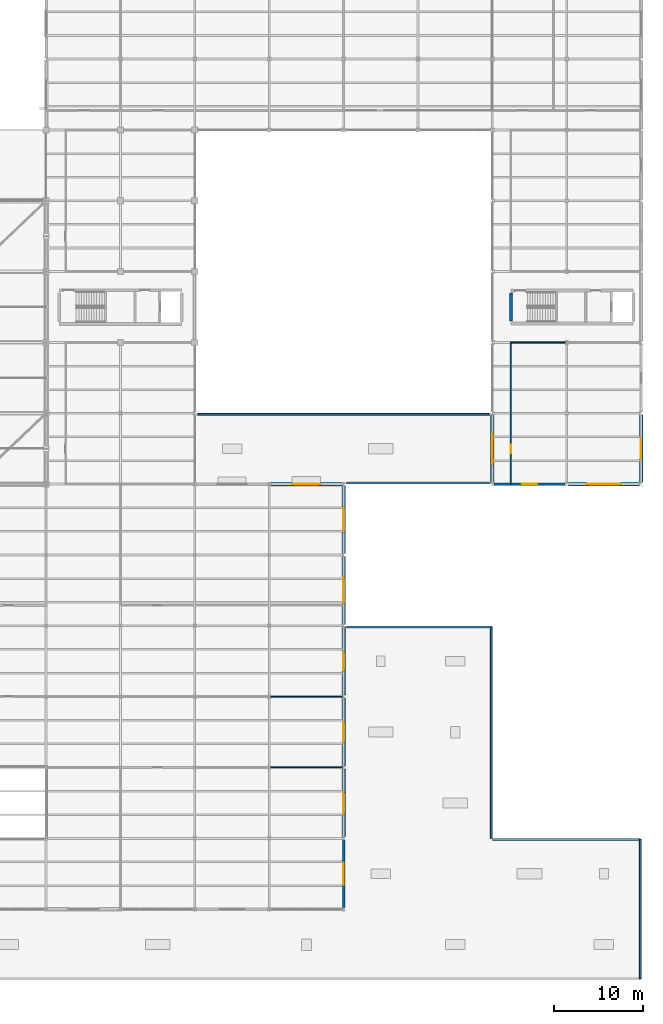
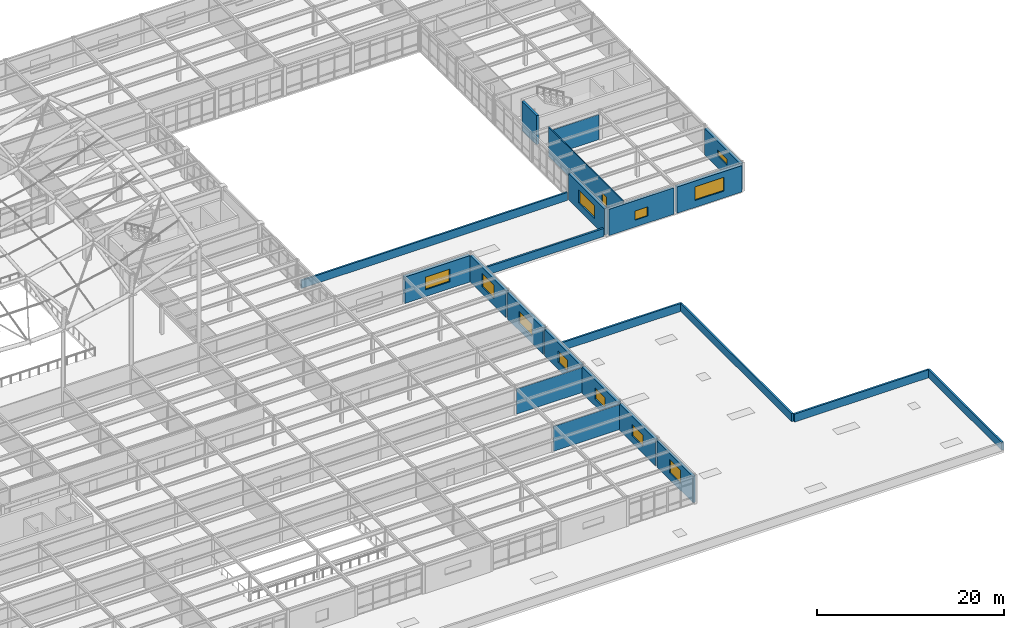
# One storey, part 77 of 138: 22 walls, 11 windows, 1 door, 12 openings.
"""IFC4 building model written with IfcOpenShell, lengths in metres."""

from ifc_helpers import new_model, si_unit, direction, frame, frame_2d, origin, place, context, subcontext, project, spatial, rectangle, extrude, material, layer, layer_set, type_object, element, fill, save


model = new_model("IFC4")

# Units and contexts
model_context = context("Model", 3, precision=1e-05, world=origin(), true_north=direction((0.0, 1.0)))
body_context = subcontext(model_context, "Body", "Model", "MODEL_VIEW")
ifc_project = project(units=[si_unit("LENGTHUNIT", "METRE"), si_unit("AREAUNIT", "SQUARE_METRE"), si_unit("VOLUMEUNIT", "CUBIC_METRE"), si_unit("PLANEANGLEUNIT", "RADIAN"), si_unit("MASSUNIT", "GRAM", prefix="KILO")], contexts=[model_context])

# Site, building, storey
site_placement = place(None, origin())
site = spatial("IfcSite", under=ifc_project, at=site_placement, CompositionType="ELEMENT")
building_placement = place(site_placement, origin())
building = spatial("IfcBuilding", under=site, at=building_placement, Name="Kranzveld Transit Interchange", CompositionType="ELEMENT")
storey_placement = place(building_placement, frame((0.0, 0.0, 5.43994140625)))
storey = spatial("IfcBuildingStorey", under=building, at=storey_placement, Name="L01", CompositionType="ELEMENT", Elevation=5.43994140625)

# Wall
ifc_material_1 = material(Name="Concrete C40/50", Category="concrete")
ifc_layer_1 = layer(ifc_material_1, 0.300048828125)
ifc_layer_set_1 = layer_set([ifc_layer_1], Name="Concrete C40/50")
wall_type_1 = type_object("IfcWallType", Name="Core Shear Wall RC 300 C40/50", PredefinedType="SHEAR", material=ifc_layer_set_1)
wall_1_placement = place(storey_placement, frame((153.300048828125, 74.43994140625, 0.0), z_axis=(0.0, 0.0, 1.0), x_axis=(0.0, 1.0, 0.0)))
element("IfcWall", 1, at=wall_1_placement, inside=storey, type_object=wall_type_1, Name="L01 Community East Core C4 Shear Wall W", PredefinedType="SHEAR", context=body_context, shape_type="SweptSolid", body=[
    extrude(rectangle(XDim=3.1201171875, YDim=0.300048828125, at=frame_2d((1.56005859375, 0.0))), origin(), (0.0, 0.0, 1.0), 3.800048828125),
])

# Wall, opening, window
ifc_material_2 = material(Name="Pretoria red-purple clinker clay face brick, 35 MPa", Category="masonry")
ifc_layer_2 = layer(ifc_material_2, 0.3798828125)
ifc_layer_set_2 = layer_set([ifc_layer_2], Name="Pretoria red-purple clinker clay face brick, 35 MPa")
wall_type_2 = type_object("IfcWallType", Name="Exterior Cavity Wall Red Clinker 380", PredefinedType="SOLIDWALL", material=ifc_layer_set_2)
wall_2_placement = place(storey_placement, frame((168.0, 56.187255859375, 0.0), z_axis=(0.0, 0.0, 1.0), x_axis=(0.0, 1.0, 0.0)))
wall_2 = element("IfcWall", 2, at=wall_2_placement, inside=storey, type_object=wall_type_2, Name="L01 Clinker Facade Wall 21/H-21/J", PredefinedType="SOLIDWALL", context=body_context, shape_type="SweptSolid", body=[
    extrude(rectangle(XDim=7.62548828125, YDim=0.3798828125, at=frame_2d((3.812744140625, 0.0))), origin(), (0.0, 0.0, 1.0), 3.442138671875),
])
opening_1_placement = place(wall_2_placement, frame((2.7626953125, 0.0, 1.550048828125), z_axis=(0.0, 0.0, 1.0), x_axis=(1.0, 0.0, 0.0)))
opening_1 = element("IfcOpeningElement", 3, at=opening_1_placement, cuts=wall_2, Name="Opening W-16", PredefinedType="OPENING", context=body_context, shape_type="SweptSolid", body=[
    extrude(rectangle(XDim=2.10009765625, YDim=0.800048828125, at=frame_2d((1.050048828125, 0.39990234375))), frame((0.0, 0.199951171875, 0.0), z_axis=(0.0, -1.0, 0.0), x_axis=(1.0, 0.0, 0.0)), (0.0, 0.0, 1.0), 0.39990234375),
])
ifc_material_3 = material(Name="Solar-control double glazing", Category="glass")
window_type_1 = type_object("IfcWindowType", Name="Window Clerestory 2100x800", PartitioningType="DOUBLE_PANEL_HORIZONTAL", PredefinedType="WINDOW", material=ifc_material_3)
window_1_placement = place(opening_1_placement, origin())
window_1 = element("IfcWindow", 4, at=window_1_placement, inside=storey, type_object=window_type_1, Name="L01 Facade Window 21/H", OverallHeight=0.800048828125, OverallWidth=2.10009765625, PartitioningType="DOUBLE_PANEL_HORIZONTAL", PredefinedType="WINDOW", context=body_context, shape_type="SweptSolid", body=[
    extrude(rectangle(XDim=2.10009765625, YDim=0.800048828125, at=frame_2d((1.050048828125, 0.39990234375))), frame((0.0, 0.030029296875, 0.0), z_axis=(0.0, -1.0, 0.0), x_axis=(1.0, 0.0, 0.0)), (0.0, 0.0, 1.0), 0.06005859375),
])
fill(opening_1, window_1)

wall_3_placement = place(storey_placement, frame((159.787353515625, 56.0, 0.0), z_axis=(0.0, 0.0, 1.0), x_axis=(1.0, 0.0, 0.0)))
wall_3 = element("IfcWall", 5, at=wall_3_placement, inside=storey, type_object=wall_type_2, Name="L01 Clinker Facade Wall 20/H-21/H", PredefinedType="SOLIDWALL", context=body_context, shape_type="SweptSolid", body=[
    extrude(rectangle(XDim=8.025390625, YDim=0.3798828125, at=frame_2d((4.0126953125, 0.0))), origin(), (0.0, 0.0, 1.0), 3.449951171875),
])
opening_2_placement = place(wall_3_placement, frame((2.212646484375, 0.0, 0.89990234375), z_axis=(0.0, 0.0, 1.0), x_axis=(1.0, 0.0, 0.0)))
opening_2 = element("IfcOpeningElement", 6, at=opening_2_placement, cuts=wall_3, Name="Opening W-01", PredefinedType="OPENING", context=body_context, shape_type="SweptSolid", body=[
    extrude(rectangle(XDim=3.60009765625, YDim=1.800048828125, at=frame_2d((1.800048828125, 0.89990234375))), frame((0.0, 0.199951171875, 0.0), z_axis=(0.0, -1.0, 0.0), x_axis=(1.0, 0.0, 0.0)), (0.0, 0.0, 1.0), 0.39990234375),
])
ifc_material_4 = material(Name="Solar-control double glazing", Category="glass")
window_type_2 = type_object("IfcWindowType", Name="Window Ribbon Triple 3600x1800", PartitioningType="TRIPLE_PANEL_VERTICAL", PredefinedType="WINDOW", material=ifc_material_4)
window_2_placement = place(opening_2_placement, origin())
window_2 = element("IfcWindow", 7, at=window_2_placement, inside=storey, type_object=window_type_2, Name="L01 Facade Window 20/H", OverallHeight=1.800048828125, OverallWidth=3.60009765625, PartitioningType="TRIPLE_PANEL_VERTICAL", PredefinedType="WINDOW", context=body_context, shape_type="SweptSolid", body=[
    extrude(rectangle(XDim=3.60009765625, YDim=1.800048828125, at=frame_2d((1.800048828125, 0.89990234375))), frame((0.0, 0.030029296875, 0.0), z_axis=(0.0, -1.0, 0.0), x_axis=(1.0, 0.0, 0.0)), (0.0, 0.0, 1.0), 0.06005859375),
])
fill(opening_2, window_2)

wall_4_placement = place(storey_placement, frame((151.199951171875, 56.187255859375, 0.0), z_axis=(0.0, 0.0, 1.0), x_axis=(0.0, 1.0, 0.0)))
wall_4 = element("IfcWall", 8, at=wall_4_placement, inside=storey, type_object=wall_type_2, Name="L01 Clinker Facade Wall 19/H-19/J", PredefinedType="SOLIDWALL", context=body_context, shape_type="SweptSolid", body=[
    extrude(rectangle(XDim=7.62548828125, YDim=0.3798828125, at=frame_2d((3.812744140625, 0.0))), origin(), (0.0, 0.0, 1.0), 3.442138671875),
])
opening_3_placement = place(wall_4_placement, frame((2.11279296875, 0.0, 0.89990234375), z_axis=(0.0, 0.0, 1.0), x_axis=(1.0, 0.0, 0.0)))
opening_3 = element("IfcOpeningElement", 9, at=opening_3_placement, cuts=wall_4, Name="Opening W-02", PredefinedType="OPENING", context=body_context, shape_type="SweptSolid", body=[
    extrude(rectangle(XDim=3.39990234375, YDim=1.699951171875, at=frame_2d((1.699951171875, 0.85009765625))), frame((0.0, 0.199951171875, 0.0), z_axis=(0.0, -1.0, 0.0), x_axis=(1.0, 0.0, 0.0)), (0.0, 0.0, 1.0), 0.39990234375),
])
ifc_material_5 = material(Name="Solar-control double glazing", Category="glass")
window_type_3 = type_object("IfcWindowType", Name="Window Ribbon Triple 3400x1700", PartitioningType="TRIPLE_PANEL_VERTICAL", PredefinedType="WINDOW", material=ifc_material_5)
window_3_placement = place(opening_3_placement, origin())
window_3 = element("IfcWindow", 10, at=window_3_placement, inside=storey, type_object=window_type_3, Name="L01 Facade Window 19/H", OverallHeight=1.699951171875, OverallWidth=3.39990234375, PartitioningType="TRIPLE_PANEL_VERTICAL", PredefinedType="WINDOW", context=body_context, shape_type="SweptSolid", body=[
    extrude(rectangle(XDim=3.39990234375, YDim=1.699951171875, at=frame_2d((1.699951171875, 0.85009765625))), frame((0.0, 0.030029296875, 0.0), z_axis=(0.0, -1.0, 0.0), x_axis=(1.0, 0.0, 0.0)), (0.0, 0.0, 1.0), 0.06005859375),
])
fill(opening_3, window_3)

wall_5_placement = place(storey_placement, frame((126.154541015625, 56.0, 0.0), z_axis=(0.0, 0.0, 1.0), x_axis=(1.0, 0.0, 0.0)))
wall_5 = element("IfcWall", 11, at=wall_5_placement, inside=storey, type_object=wall_type_2, Name="L01 Clinker Facade Wall 16/H-17/H", PredefinedType="SOLIDWALL", context=body_context, shape_type="SweptSolid", body=[
    extrude(rectangle(XDim=8.0908203125, YDim=0.3798828125, at=frame_2d((4.04541015625, 0.0))), origin(), (0.0, 0.0, 1.0), 3.449951171875),
])
opening_4_placement = place(wall_5_placement, frame((2.54541015625, 0.0, 0.89990234375), z_axis=(0.0, 0.0, 1.0), x_axis=(1.0, 0.0, 0.0)))
opening_4 = element("IfcOpeningElement", 12, at=opening_4_placement, cuts=wall_5, Name="Opening W-04", PredefinedType="OPENING", context=body_context, shape_type="SweptSolid", body=[
    extrude(rectangle(XDim=3.0, YDim=1.64990234375, at=frame_2d((1.5, 0.824951171875))), frame((0.0, 0.199951171875, 0.0), z_axis=(0.0, -1.0, 0.0), x_axis=(1.0, 0.0, 0.0)), (0.0, 0.0, 1.0), 0.39990234375),
])
ifc_material_6 = material(Name="Solar-control double glazing", Category="glass")
window_type_4 = type_object("IfcWindowType", Name="Window Ribbon Double 3000x1650", PartitioningType="DOUBLE_PANEL_VERTICAL", PredefinedType="WINDOW", material=ifc_material_6)
window_4_placement = place(opening_4_placement, origin())
window_4 = element("IfcWindow", 13, at=window_4_placement, inside=storey, type_object=window_type_4, Name="L01 Facade Window 16/H", OverallHeight=1.64990234375, OverallWidth=3.0, PartitioningType="DOUBLE_PANEL_VERTICAL", PredefinedType="WINDOW", context=body_context, shape_type="SweptSolid", body=[
    extrude(rectangle(XDim=3.0, YDim=1.64990234375, at=frame_2d((1.5, 0.824951171875))), frame((0.0, 0.030029296875, 0.0), z_axis=(0.0, -1.0, 0.0), x_axis=(1.0, 0.0, 0.0)), (0.0, 0.0, 1.0), 0.06005859375),
])
fill(opening_4, window_4)

wall_6_placement = place(storey_placement, frame((134.39990234375, 40.160400390625, 0.0), z_axis=(0.0, 0.0, 1.0), x_axis=(0.0, 1.0, 0.0)))
wall_6 = element("IfcWall", 14, at=wall_6_placement, inside=storey, type_object=wall_type_2, Name="L01 Clinker Facade Wall 17/F-17/G", PredefinedType="SOLIDWALL", context=body_context, shape_type="SweptSolid", body=[
    extrude(rectangle(XDim=7.67919921875, YDim=0.3798828125, at=frame_2d((3.839599609375, 0.0))), origin(), (0.0, 0.0, 1.0), 3.442138671875),
])
opening_5_placement = place(wall_6_placement, frame((2.439697265625, 0.0, 0.89990234375), z_axis=(0.0, 0.0, 1.0), x_axis=(1.0, 0.0, 0.0)))
opening_5 = element("IfcOpeningElement", 15, at=opening_5_placement, cuts=wall_6, Name="Opening W-05", PredefinedType="OPENING", context=body_context, shape_type="SweptSolid", body=[
    extrude(rectangle(XDim=2.800048828125, YDim=1.60009765625, at=frame_2d((1.39990234375, 0.800048828125))), frame((0.0, 0.199951171875, 0.0), z_axis=(0.0, -1.0, 0.0), x_axis=(1.0, 0.0, 0.0)), (0.0, 0.0, 1.0), 0.39990234375),
])
ifc_material_7 = material(Name="Solar-control double glazing", Category="glass")
window_type_5 = type_object("IfcWindowType", Name="Window Ribbon Double 2800x1600", PartitioningType="DOUBLE_PANEL_VERTICAL", PredefinedType="WINDOW", material=ifc_material_7)
window_5_placement = place(opening_5_placement, origin())
window_5 = element("IfcWindow", 16, at=window_5_placement, inside=storey, type_object=window_type_5, Name="L01 Facade Window 17/F", OverallHeight=1.60009765625, OverallWidth=2.800048828125, PartitioningType="DOUBLE_PANEL_VERTICAL", PredefinedType="WINDOW", context=body_context, shape_type="SweptSolid", body=[
    extrude(rectangle(XDim=2.800048828125, YDim=1.60009765625, at=frame_2d((1.39990234375, 0.800048828125))), frame((0.0, 0.030029296875, 0.0), z_axis=(0.0, -1.0, 0.0), x_axis=(1.0, 0.0, 0.0)), (0.0, 0.0, 1.0), 0.06005859375),
])
fill(opening_5, window_5)

wall_7_placement = place(storey_placement, frame((134.39990234375, 48.160400390625, 0.0), z_axis=(0.0, 0.0, 1.0), x_axis=(0.0, 1.0, 0.0)))
wall_7 = element("IfcWall", 17, at=wall_7_placement, inside=storey, type_object=wall_type_2, Name="L01 Clinker Facade Wall 17/G-17/H", PredefinedType="SOLIDWALL", context=body_context, shape_type="SweptSolid", body=[
    extrude(rectangle(XDim=7.67919921875, YDim=0.3798828125, at=frame_2d((3.839599609375, 0.0))), origin(), (0.0, 0.0, 1.0), 3.442138671875),
])
opening_6_placement = place(wall_7_placement, frame((2.539794921875, 0.0, 0.89990234375), z_axis=(0.0, 0.0, 1.0), x_axis=(1.0, 0.0, 0.0)))
opening_6 = element("IfcOpeningElement", 18, at=opening_6_placement, cuts=wall_7, Name="Opening W-06", PredefinedType="OPENING", context=body_context, shape_type="SweptSolid", body=[
    extrude(rectangle(XDim=2.60009765625, YDim=1.800048828125, at=frame_2d((1.300048828125, 0.89990234375))), frame((0.0, 0.199951171875, 0.0), z_axis=(0.0, -1.0, 0.0), x_axis=(1.0, 0.0, 0.0)), (0.0, 0.0, 1.0), 0.39990234375),
])
ifc_material_8 = material(Name="Solar-control double glazing", Category="glass")
window_type_6 = type_object("IfcWindowType", Name="Window Civic Double 2600x1800", PartitioningType="DOUBLE_PANEL_VERTICAL", PredefinedType="WINDOW", material=ifc_material_8)
window_6_placement = place(opening_6_placement, origin())
window_6 = element("IfcWindow", 19, at=window_6_placement, inside=storey, type_object=window_type_6, Name="L01 Facade Window 17/G", OverallHeight=1.800048828125, OverallWidth=2.60009765625, PartitioningType="DOUBLE_PANEL_VERTICAL", PredefinedType="WINDOW", context=body_context, shape_type="SweptSolid", body=[
    extrude(rectangle(XDim=2.60009765625, YDim=1.800048828125, at=frame_2d((1.300048828125, 0.89990234375))), frame((0.0, 0.030029296875, 0.0), z_axis=(0.0, -1.0, 0.0), x_axis=(1.0, 0.0, 0.0)), (0.0, 0.0, 1.0), 0.06005859375),
])
fill(opening_6, window_6)

wall_8_placement = place(storey_placement, frame((134.39990234375, 16.160400390625, 0.0), z_axis=(0.0, 0.0, 1.0), x_axis=(0.0, 1.0, 0.0)))
wall_8 = element("IfcWall", 20, at=wall_8_placement, inside=storey, type_object=wall_type_2, Name="L01 Clinker Facade Wall 17/C-17/D", PredefinedType="SOLIDWALL", context=body_context, shape_type="SweptSolid", body=[
    extrude(rectangle(XDim=7.67919921875, YDim=0.3798828125, at=frame_2d((3.839599609375, 0.0))), origin(), (0.0, 0.0, 1.0), 3.442138671875),
])
opening_7_placement = place(wall_8_placement, frame((2.6396484375, 0.0, 0.89990234375), z_axis=(0.0, 0.0, 1.0), x_axis=(1.0, 0.0, 0.0)))
opening_7 = element("IfcOpeningElement", 21, at=opening_7_placement, cuts=wall_8, Name="Opening W-08", PredefinedType="OPENING", context=body_context, shape_type="SweptSolid", body=[
    extrude(rectangle(XDim=2.39990234375, YDim=1.5, at=frame_2d((1.199951171875, 0.75))), frame((0.0, 0.199951171875, 0.0), z_axis=(0.0, -1.0, 0.0), x_axis=(1.0, 0.0, 0.0)), (0.0, 0.0, 1.0), 0.39990234375),
])
ifc_material_9 = material(Name="Solar-control double glazing", Category="glass")
window_type_7 = type_object("IfcWindowType", Name="Window Civic Double 2400x1500", PartitioningType="DOUBLE_PANEL_VERTICAL", PredefinedType="WINDOW", material=ifc_material_9)
window_7_placement = place(opening_7_placement, origin())
window_7 = element("IfcWindow", 22, at=window_7_placement, inside=storey, type_object=window_type_7, Name="L01 Facade Window 17/C", OverallHeight=1.5, OverallWidth=2.39990234375, PartitioningType="DOUBLE_PANEL_VERTICAL", PredefinedType="WINDOW", context=body_context, shape_type="SweptSolid", body=[
    extrude(rectangle(XDim=2.39990234375, YDim=1.5, at=frame_2d((1.199951171875, 0.75))), frame((0.0, 0.030029296875, 0.0), z_axis=(0.0, -1.0, 0.0), x_axis=(1.0, 0.0, 0.0)), (0.0, 0.0, 1.0), 0.06005859375),
])
fill(opening_7, window_7)

wall_9_placement = place(storey_placement, frame((134.39990234375, 24.160400390625, 0.0), z_axis=(0.0, 0.0, 1.0), x_axis=(0.0, 1.0, 0.0)))
wall_9 = element("IfcWall", 23, at=wall_9_placement, inside=storey, type_object=wall_type_2, Name="L01 Clinker Facade Wall 17/D-17/E", PredefinedType="SOLIDWALL", context=body_context, shape_type="SweptSolid", body=[
    extrude(rectangle(XDim=7.67919921875, YDim=0.3798828125, at=frame_2d((3.839599609375, 0.0))), origin(), (0.0, 0.0, 1.0), 3.442138671875),
])
opening_8_placement = place(wall_9_placement, frame((2.73974609375, 0.0, 0.89990234375), z_axis=(0.0, 0.0, 1.0), x_axis=(1.0, 0.0, 0.0)))
opening_8 = element("IfcOpeningElement", 24, at=opening_8_placement, cuts=wall_9, Name="Opening W-09", PredefinedType="OPENING", context=body_context, shape_type="SweptSolid", body=[
    extrude(rectangle(XDim=2.199951171875, YDim=1.5, at=frame_2d((1.10009765625, 0.75))), frame((0.0, 0.199951171875, 0.0), z_axis=(0.0, -1.0, 0.0), x_axis=(1.0, 0.0, 0.0)), (0.0, 0.0, 1.0), 0.39990234375),
])
ifc_material_10 = material(Name="Solar-control double glazing", Category="glass")
window_type_8 = type_object("IfcWindowType", Name="Window Office Double 2200x1500", PartitioningType="DOUBLE_PANEL_VERTICAL", PredefinedType="WINDOW", material=ifc_material_10)
window_8_placement = place(opening_8_placement, origin())
window_8 = element("IfcWindow", 25, at=window_8_placement, inside=storey, type_object=window_type_8, Name="L01 Facade Window 17/D", OverallHeight=1.5, OverallWidth=2.199951171875, PartitioningType="DOUBLE_PANEL_VERTICAL", PredefinedType="WINDOW", context=body_context, shape_type="SweptSolid", body=[
    extrude(rectangle(XDim=2.199951171875, YDim=1.5, at=frame_2d((1.10009765625, 0.75))), frame((0.0, 0.030029296875, 0.0), z_axis=(0.0, -1.0, 0.0), x_axis=(1.0, 0.0, 0.0)), (0.0, 0.0, 1.0), 0.06005859375),
])
fill(opening_8, window_8)

wall_10_placement = place(storey_placement, frame((134.39990234375, 32.160400390625, 0.0), z_axis=(0.0, 0.0, 1.0), x_axis=(0.0, 1.0, 0.0)))
wall_10 = element("IfcWall", 26, at=wall_10_placement, inside=storey, type_object=wall_type_2, Name="L01 Clinker Facade Wall 17/E-17/F", PredefinedType="SOLIDWALL", context=body_context, shape_type="SweptSolid", body=[
    extrude(rectangle(XDim=7.67919921875, YDim=0.3798828125, at=frame_2d((3.839599609375, 0.0))), origin(), (0.0, 0.0, 1.0), 3.442138671875),
])
opening_9_placement = place(wall_10_placement, frame((2.839599609375, 0.0, 0.89990234375), z_axis=(0.0, 0.0, 1.0), x_axis=(1.0, 0.0, 0.0)))
opening_9 = element("IfcOpeningElement", 27, at=opening_9_placement, cuts=wall_10, Name="Opening W-10", PredefinedType="OPENING", context=body_context, shape_type="SweptSolid", body=[
    extrude(rectangle(XDim=2.0, YDim=1.5, at=frame_2d((1.0, 0.75))), frame((0.0, 0.199951171875, 0.0), z_axis=(0.0, -1.0, 0.0), x_axis=(1.0, 0.0, 0.0)), (0.0, 0.0, 1.0), 0.39990234375),
])
ifc_material_11 = material(Name="Solar-control double glazing", Category="glass")
window_type_9 = type_object("IfcWindowType", Name="Window Office Double 2000x1500", PartitioningType="DOUBLE_PANEL_VERTICAL", PredefinedType="WINDOW", material=ifc_material_11)
window_9_placement = place(opening_9_placement, origin())
window_9 = element("IfcWindow", 28, at=window_9_placement, inside=storey, type_object=window_type_9, Name="L01 Facade Window 17/E", OverallHeight=1.5, OverallWidth=2.0, PartitioningType="DOUBLE_PANEL_VERTICAL", PredefinedType="WINDOW", context=body_context, shape_type="SweptSolid", body=[
    extrude(rectangle(XDim=2.0, YDim=1.5, at=frame_2d((1.0, 0.75))), frame((0.0, 0.030029296875, 0.0), z_axis=(0.0, -1.0, 0.0), x_axis=(1.0, 0.0, 0.0)), (0.0, 0.0, 1.0), 0.06005859375),
])
fill(opening_9, window_9)

ifc_material_12 = material(Name="Ochre Pretoria sandstone cladding, 45 MPa", Category="masonry")
ifc_layer_3 = layer(ifc_material_12, 0.300048828125)
ifc_layer_set_3 = layer_set([ifc_layer_3], Name="Ochre Pretoria sandstone cladding, 45 MPa")
wall_type_3 = type_object("IfcWallType", Name="Exterior Sandstone Spandrel Wall 300", PredefinedType="SOLIDWALL", material=ifc_layer_set_3)
wall_11_placement = place(storey_placement, frame((151.38720703125, 56.0, 0.0), z_axis=(0.0, 0.0, 1.0), x_axis=(1.0, 0.0, 0.0)))
wall_11 = element("IfcWall", 29, at=wall_11_placement, inside=storey, type_object=wall_type_3, Name="L01 Clinker Facade Wall 19/H-20/H", PredefinedType="SOLIDWALL", context=body_context, shape_type="SweptSolid", body=[
    extrude(rectangle(XDim=8.025390625, YDim=0.300048828125, at=frame_2d((4.0126953125, 0.0))), origin(), (0.0, 0.0, 1.0), 3.449951171875),
])
opening_10_placement = place(wall_11_placement, frame((3.212646484375, 0.0, 0.89990234375), z_axis=(0.0, 0.0, 1.0), x_axis=(1.0, 0.0, 0.0)))
opening_10 = element("IfcOpeningElement", 30, at=opening_10_placement, cuts=wall_11, Name="Opening W-20", PredefinedType="OPENING", context=body_context, shape_type="SweptSolid", body=[
    extrude(rectangle(XDim=1.60009765625, YDim=1.199951171875, at=frame_2d((0.800048828125, 0.60009765625))), frame((0.0, 0.159912109375, 0.0), z_axis=(0.0, -1.0, 0.0), x_axis=(1.0, 0.0, 0.0)), (0.0, 0.0, 1.0), 0.320068359375),
])
ifc_material_13 = material(Name="Solar-control double glazing", Category="glass")
window_type_10 = type_object("IfcWindowType", Name="Window Technical Glazed 1600x1200", PartitioningType="DOUBLE_PANEL_VERTICAL", PredefinedType="WINDOW", material=ifc_material_13)
window_10_placement = place(opening_10_placement, origin())
window_10 = element("IfcWindow", 31, at=window_10_placement, inside=storey, type_object=window_type_10, Name="L01 Facade Window 19/H", OverallHeight=1.199951171875, OverallWidth=1.60009765625, PartitioningType="DOUBLE_PANEL_VERTICAL", PredefinedType="WINDOW", context=body_context, shape_type="SweptSolid", body=[
    extrude(rectangle(XDim=1.60009765625, YDim=1.199951171875, at=frame_2d((0.800048828125, 0.60009765625))), frame((0.0, 0.030029296875, 0.0), z_axis=(0.0, -1.0, 0.0), x_axis=(1.0, 0.0, 0.0)), (0.0, 0.0, 1.0), 0.06005859375),
])
fill(opening_10, window_10)

wall_12_placement = place(storey_placement, frame((134.39990234375, 8.160400390625, 0.0), z_axis=(0.0, 0.0, 1.0), x_axis=(0.0, 1.0, 0.0)))
wall_12 = element("IfcWall", 32, at=wall_12_placement, inside=storey, type_object=wall_type_3, Name="L01 Clinker Facade Wall 17/B-17/C", PredefinedType="SOLIDWALL", context=body_context, shape_type="SweptSolid", body=[
    extrude(rectangle(XDim=7.67919921875, YDim=0.300048828125, at=frame_2d((3.839599609375, 0.0))), origin(), (0.0, 0.0, 1.0), 3.442138671875),
])
opening_11_placement = place(wall_12_placement, frame((2.6396484375, 0.0, 0.89990234375), z_axis=(0.0, 0.0, 1.0), x_axis=(1.0, 0.0, 0.0)))
opening_11 = element("IfcOpeningElement", 33, at=opening_11_placement, cuts=wall_12, Name="Opening W-07", PredefinedType="OPENING", context=body_context, shape_type="SweptSolid", body=[
    extrude(rectangle(XDim=2.39990234375, YDim=1.75, at=frame_2d((1.199951171875, 0.875))), frame((0.0, 0.159912109375, 0.0), z_axis=(0.0, -1.0, 0.0), x_axis=(1.0, 0.0, 0.0)), (0.0, 0.0, 1.0), 0.320068359375),
])
ifc_material_14 = material(Name="Solar-control double glazing", Category="glass")
window_type_11 = type_object("IfcWindowType", Name="Window Civic Double 2400x1750", PartitioningType="DOUBLE_PANEL_VERTICAL", PredefinedType="WINDOW", material=ifc_material_14)
window_11_placement = place(opening_11_placement, origin())
window_11 = element("IfcWindow", 34, at=window_11_placement, inside=storey, type_object=window_type_11, Name="L01 Facade Window 17/B", OverallHeight=1.75, OverallWidth=2.39990234375, PartitioningType="DOUBLE_PANEL_VERTICAL", PredefinedType="WINDOW", context=body_context, shape_type="SweptSolid", body=[
    extrude(rectangle(XDim=2.39990234375, YDim=1.75, at=frame_2d((1.199951171875, 0.875))), frame((0.0, 0.030029296875, 0.0), z_axis=(0.0, -1.0, 0.0), x_axis=(1.0, 0.0, 0.0)), (0.0, 0.0, 1.0), 0.06005859375),
])
fill(opening_11, window_11)

# Wall, opening, door
ifc_material_15 = material(Name="Clay masonry unit wall, 20 MPa", Category="masonry")
ifc_layer_4 = layer(ifc_material_15, 0.125)
ifc_layer_set_4 = layer_set([ifc_layer_4], Name="Clay masonry unit wall, 20 MPa")
wall_type_4 = type_object("IfcWallType", Name="Internal Blockwork Partition 125", PredefinedType="PARTITIONING", material=ifc_layer_set_4)
wall_13_placement = place(storey_placement, frame((153.280029296875, 56.0400390625, 0.0), z_axis=(0.0, 0.0, 1.0), x_axis=(0.0, 1.0, 0.0)))
wall_13 = element("IfcWall", 35, at=wall_13_placement, inside=storey, type_object=wall_type_4, Name="L01 Partition IW-L01-L01V4E-FRT-133-0", PredefinedType="PARTITIONING", context=body_context, shape_type="SweptSolid", body=[
    extrude(rectangle(XDim=15.9599609375, YDim=0.125, at=frame_2d((7.97998046875, 0.0))), origin(), (0.0, 0.0, 1.0), 3.800048828125),
])
opening_12_placement = place(wall_13_placement, frame((4.409912109375, 0.0, 0.0), z_axis=(0.0, 0.0, 1.0), x_axis=(-1.0, 0.0, 0.0)))
opening_12 = element("IfcOpeningElement", 36, at=opening_12_placement, cuts=wall_13, Name="Opening D-133", PredefinedType="OPENING", context=body_context, shape_type="SweptSolid", body=[
    extrude(rectangle(XDim=0.949951171875, YDim=2.14990234375, at=frame_2d((0.47509765625, 1.074951171875))), frame((0.0, 0.072509765625, 0.0), z_axis=(0.0, -1.0, 0.0), x_axis=(1.0, 0.0, 0.0)), (0.0, 0.0, 1.0), 0.14501953125),
])
ifc_material_16 = material(Name="Bronze-anodised thermally broken aluminium", Category="aluminium")
door_type = type_object("IfcDoorType", Name="Internal Office Door 950x2150", OperationType="NOTDEFINED", PredefinedType="DOOR", material=ifc_material_16)
door_placement = place(opening_12_placement, origin())
door = element("IfcDoor", 37, at=door_placement, inside=storey, type_object=door_type, Name="L01 Interior Door D-133", OperationType="SINGLE_SWING_LEFT", OverallHeight=2.14990234375, OverallWidth=0.949951171875, PredefinedType="DOOR", context=body_context, shape_type="SweptSolid", body=[
    extrude(rectangle(XDim=0.949951171875, YDim=2.14990234375, at=frame_2d((0.47509765625, 1.074951171875))), frame((0.0, 0.02490234375, 0.0), z_axis=(0.0, -1.0, 0.0), x_axis=(1.0, 0.0, 0.0)), (0.0, 0.0, 1.0), 0.050048828125),
])
fill(opening_12, door)

# Walls
wall_14_placement = place(storey_placement, frame((153.280029296875, 72.0, 0.0), z_axis=(0.0, 0.0, 1.0), x_axis=(1.0, 0.0, 0.0)))
element("IfcWall", 38, at=wall_14_placement, inside=storey, type_object=wall_type_4, Name="L01 Partition IW-L01-L01V4E-N-133-0", PredefinedType="PARTITIONING", context=body_context, shape_type="SweptSolid", body=[
    extrude(rectangle(XDim=6.142578125, YDim=0.125, at=frame_2d((3.0712890625, 0.0))), origin(), (0.0, 0.0, 1.0), 3.260498046875),
])
ifc_material_17 = material(Name="Clay masonry unit wall, 20 MPa", Category="masonry")
ifc_layer_5 = layer(ifc_material_17, 0.114990234375)
ifc_layer_set_5 = layer_set([ifc_layer_5], Name="Clay masonry unit wall, 20 MPa")
wall_type_5 = type_object("IfcWallType", Name="Internal Masonry Partition 115", PredefinedType="PARTITIONING", material=ifc_layer_set_5)
for number, where, z_axis, x_axis, name in (
    (39, (126.14453125, 32.0, 0.0), (0.0, 0.0, 1.0), (1.0, 0.0, 0.0), "L01 Partition IW-L01-L01V2N-FRT-132-4"),
    (40, (126.14453125, 24.0, 0.0), (0.0, 0.0, 1.0), (1.0, 0.0, 0.0), "L01 Partition IW-L01-L01V2N-BCK-132-4"),
):
    element("IfcWall", number, at=place(storey_placement, frame(where, z_axis=z_axis, x_axis=x_axis)), inside=storey, type_object=wall_type_5, Name=name, PredefinedType="PARTITIONING", context=body_context, shape_type="SweptSolid", body=[
        extrude(rectangle(XDim=8.11083984375, YDim=0.114990234375, at=frame_2d((4.055419921875, 0.0))), origin(), (0.0, 0.0, 1.0), 3.260498046875),
    ])
ifc_material_18 = material(Name="Pretoria red-purple clinker clay face brick, 35 MPa", Category="masonry")
ifc_layer_6 = layer(ifc_material_18, 0.22998046875)
ifc_layer_set_6 = layer_set([ifc_layer_6], Name="Pretoria red-purple clinker clay face brick, 35 MPa")
wall_type_6 = type_object("IfcWallType", Name="Roof Parapet Wall Clinker Brick 230", PredefinedType="PARAPET", material=ifc_layer_set_6)
wall_15_placement = place(storey_placement, frame((150.85009765625, 56.1201171875, 0.0), z_axis=(0.0, 0.0, 1.0), x_axis=(-1.0, 0.0, 0.0)))
element("IfcWall", 41, at=wall_15_placement, inside=storey, type_object=wall_type_6, Name="L01 Roof Parapet 002", PredefinedType="PARAPET", context=body_context, shape_type="SweptSolid", body=[
    extrude(rectangle(XDim=16.121826171875, YDim=0.22998046875, at=frame_2d((8.06103515625, 0.0))), origin(), (0.0, 0.0, 1.0), 1.050048828125),
])
wall_16_placement = place(storey_placement, frame((151.199951171875, 15.8798828125, 0.0), z_axis=(0.0, 0.0, 1.0), x_axis=(1.0, 0.0, 0.0)))
element("IfcWall", 42, at=wall_16_placement, inside=storey, type_object=wall_type_6, Name="L01 Roof Parapet 004", PredefinedType="PARAPET", context=body_context, shape_type="SweptSolid", body=[
    extrude(rectangle(XDim=16.679931640625, YDim=0.22998046875, at=frame_2d((8.33984375, 0.0))), origin(), (0.0, 0.0, 1.0), 1.050048828125),
])
wall_17_placement = place(storey_placement, frame((134.75, 39.8798828125, 0.0), z_axis=(0.0, 0.0, 1.0), x_axis=(1.0, 0.0, 0.0)))
element("IfcWall", 43, at=wall_17_placement, inside=storey, type_object=wall_type_6, Name="L01 Roof Parapet 008", PredefinedType="PARAPET", context=body_context, shape_type="SweptSolid", body=[
    extrude(rectangle(XDim=16.330078125, YDim=0.22998046875, at=frame_2d((8.1650390625, 0.0))), origin(), (0.0, 0.0, 1.0), 1.050048828125),
])
ifc_material_19 = material(Name="Dark Pretoria clinker clay plinth brick, 40 MPa", Category="masonry")
ifc_layer_7 = layer(ifc_material_19, 0.215087890625)
ifc_layer_set_7 = layer_set([ifc_layer_7], Name="Dark Pretoria clinker clay plinth brick, 40 MPa")
wall_type_7 = type_object("IfcWallType", Name="Terrace Parapet Upstand Brick 215", PredefinedType="PARAPET", material=ifc_layer_set_7)
wall_18_placement = place(storey_placement, frame((117.949951171875, 63.8798828125, 0.0), z_axis=(0.0, 0.0, 1.0), x_axis=(1.0, 0.0, 0.0)))
element("IfcWall", 44, at=wall_18_placement, inside=storey, type_object=wall_type_7, Name="L01 Roof Parapet 001", PredefinedType="PARAPET", context=body_context, shape_type="SweptSolid", body=[
    extrude(rectangle(XDim=32.900146484375, YDim=0.215087890625, at=frame_2d((16.4501953125, 0.0))), origin(), (0.0, 0.0, 1.0), 1.050048828125),
])
wall_19_placement = place(storey_placement, frame((151.080078125, 39.8798828125, 0.0), z_axis=(0.0, 0.0, 1.0), x_axis=(0.0, -1.0, 0.0)))
element("IfcWall", 45, at=wall_19_placement, inside=storey, type_object=wall_type_7, Name="L01 Roof Parapet 003", PredefinedType="PARAPET", context=body_context, shape_type="SweptSolid", body=[
    extrude(rectangle(XDim=23.8798828125, YDim=0.215087890625, at=frame_2d((11.93994140625, 0.0))), origin(), (0.0, 0.0, 1.0), 1.050048828125),
])
wall_20_placement = place(storey_placement, frame((167.8798828125, 15.8798828125, 0.0), z_axis=(0.0, 0.0, 1.0), x_axis=(0.0, -1.0, 0.0)))
element("IfcWall", 46, at=wall_20_placement, inside=storey, type_object=wall_type_7, Name="L01 Roof Parapet 005", PredefinedType="PARAPET", context=body_context, shape_type="SweptSolid", body=[
    extrude(rectangle(XDim=15.759765625, YDim=0.215087890625, at=frame_2d((7.8798828125, 0.0))), origin(), (0.0, 0.0, 1.0), 1.050048828125),
])

save(model, "model.ifc")
